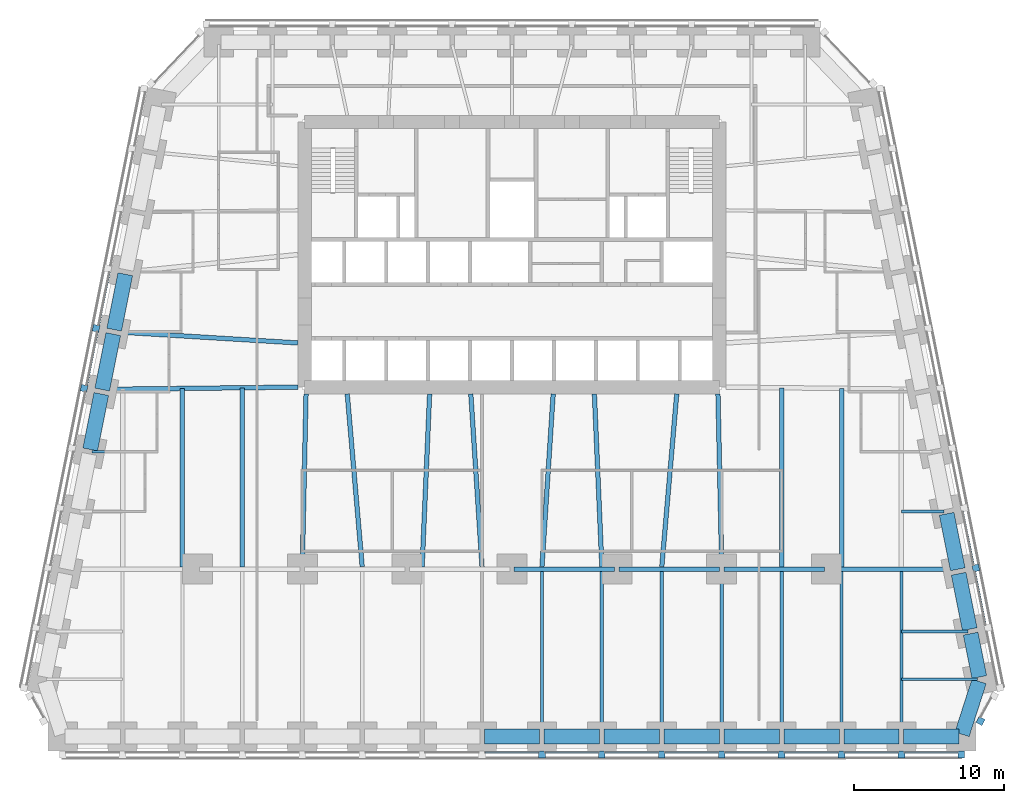
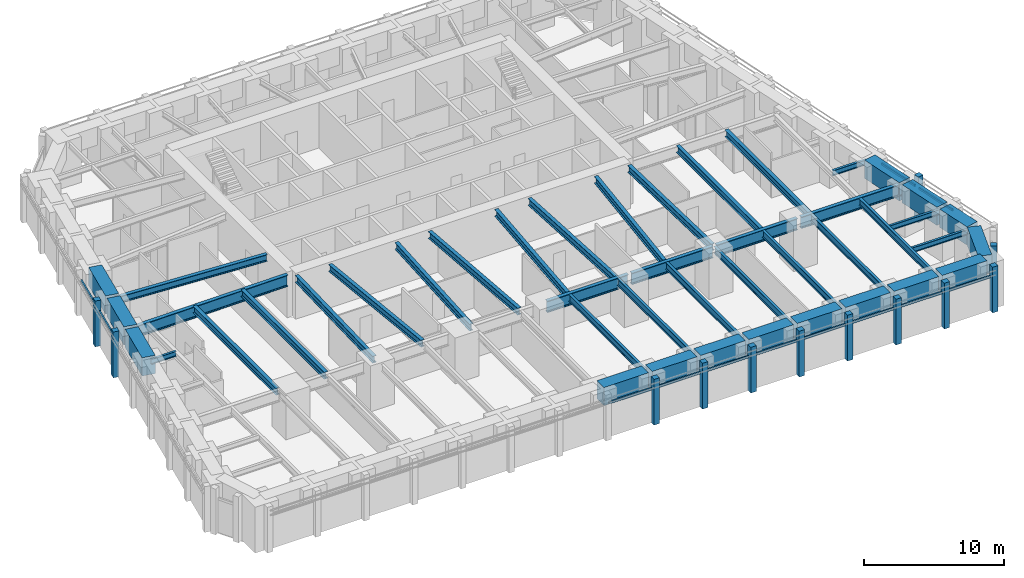
# One storey, part 2 of 10: 44 beams, 24 members, 4 elements without a shape of their own.
"""IFC4 building model written with IfcOpenShell, lengths in metres."""

from ifc_helpers import new_model, si_unit, direction, frame, origin, origin_2d, place, context, subcontext, project, spatial, rectangle, i_section, extrude, material, material_profile, profile_set, type_object, element, aggregate, save


model = new_model("IFC4")

# Units and contexts
model_context = context("Model", 3, precision=1e-05, world=origin(), true_north=direction((0.0, 1.0)))
body_context = subcontext(model_context, "Body", "Model", "MODEL_VIEW")
ifc_project = project(units=[si_unit("LENGTHUNIT", "METRE"), si_unit("AREAUNIT", "SQUARE_METRE"), si_unit("VOLUMEUNIT", "CUBIC_METRE"), si_unit("PLANEANGLEUNIT", "RADIAN"), si_unit("MASSUNIT", "GRAM", prefix="KILO")], contexts=[model_context])

# Site, building, storey
site_placement = place(None, origin())
site = spatial("IfcSite", under=ifc_project, at=site_placement, CompositionType="ELEMENT")
building_placement = place(site_placement, origin())
building = spatial("IfcBuilding", under=site, at=building_placement, Name="Isbrekke Arena Tower", CompositionType="ELEMENT")
storey_placement = place(building_placement, frame((0.0, 0.0, 68.0)))
storey = spatial("IfcBuildingStorey", under=building, at=storey_placement, Name="L14", CompositionType="ELEMENT", Elevation=68.0)

# Beams
ifc_material_1 = material(Name="Steel S355", Category="steel")
ifc_material_profile_1 = material_profile(ifc_material_1, i_section(OverallWidth=0.219970703125, OverallDepth=0.60009765625, WebThickness=0.011962890625, FlangeThickness=0.01904296875, FilletRadius=0.02392578125, at=origin_2d()), Name="IPE 600")
ifc_profile_set_1 = profile_set([ifc_material_profile_1], Name="Steel S355")
beam_type_1 = type_object("IfcBeamType", Name="B1 IPE 600", PredefinedType="BEAM", material=ifc_profile_set_1)
for number, where, z_axis, x_axis, name in (
    (1, (2.0, -17.02490234375, 3.550048828125), (0.0, 1.0, 0.0), (-1.0, 0.0, 0.0), "B1 beam S-S09 L14"),
    (2, (6.0, -17.02490234375, 3.550048828125), (0.0, 1.0, 0.0), (-1.0, 0.0, 0.0), "B1 beam S-S10 L14"),
    (3, (10.0, -17.02490234375, 3.550048828125), (0.0, 1.0, 0.0), (-1.0, 0.0, 0.0), "B1 beam S-S11 L14"),
):
    element("IfcBeam", number, at=place(storey_placement, frame(where, z_axis=z_axis, x_axis=x_axis)), inside=storey, type_object=beam_type_1, Name=name, PredefinedType="BEAM", context=body_context, shape_type="SweptSolid", body=[
        extrude(i_section(OverallWidth=0.219970703125, OverallDepth=0.60009765625, WebThickness=0.011962890625, FlangeThickness=0.01904296875, FilletRadius=0.02392578125, at=origin_2d()), origin(), (0.0, 0.0, 1.0), 10.8740234375),
    ])
beam_1_placement = place(storey_placement, frame((14.0, -17.02490234375, 3.550048828125), z_axis=(0.0, 1.0, 0.0), x_axis=(-1.0, 0.0, 0.0)))
element("IfcBeam", 4, at=beam_1_placement, inside=storey, type_object=beam_type_1, Name="B1 beam S-S12 L14", PredefinedType="BEAM", context=body_context, shape_type="SweptSolid", body=[
    extrude(i_section(OverallWidth=0.219970703125, OverallDepth=0.60009765625, WebThickness=0.011962890625, FlangeThickness=0.01904296875, FilletRadius=0.02392578125, at=origin_2d()), origin(), (0.0, 0.0, 1.0), 10.875),
])
for number, where, z_axis, x_axis, name in (
    (5, (18.0, -17.02490234375, 3.550048828125), (0.0, 1.0, 0.0), (-1.0, 0.0, 0.0), "B1 beam S-S13 L14"),
    (6, (22.0, -17.02490234375, 3.550048828125), (0.0, 1.0, 0.0), (-1.0, 0.0, 0.0), "B1 beam S-S14 L14"),
    (7, (26.0, -17.02490234375, 3.550048828125), (0.0, 1.0, 0.0), (-1.0, 0.0, 0.0), "B1 beam S-S15 L14"),
):
    element("IfcBeam", number, at=place(storey_placement, frame(where, z_axis=z_axis, x_axis=x_axis)), inside=storey, type_object=beam_type_1, Name=name, PredefinedType="BEAM", context=body_context, shape_type="SweptSolid", body=[
        extrude(i_section(OverallWidth=0.219970703125, OverallDepth=0.60009765625, WebThickness=0.011962890625, FlangeThickness=0.01904296875, FilletRadius=0.02392578125, at=origin_2d()), origin(), (0.0, 0.0, 1.0), 10.8740234375),
    ])
ifc_material_2 = material(Name="Steel S355", Category="steel")
ifc_material_profile_2 = material_profile(ifc_material_2, i_section(OverallWidth=0.18994140625, OverallDepth=0.449951171875, WebThickness=0.009521484375, FlangeThickness=0.0146484375, FilletRadius=0.02099609375, at=origin_2d()), Name="IPE 450")
ifc_profile_set_2 = profile_set([ifc_material_profile_2], Name="Steel S355")
beam_type_2 = type_object("IfcBeamType", Name="B2 IPE 450", PredefinedType="BEAM", material=ifc_profile_set_2)
beam_2_placement = place(storey_placement, frame((31.079345703125, -13.352783203125, 3.625), z_axis=(-1.0, 0.0, 0.0), x_axis=(0.0, -1.0, 0.0)))
element("IfcBeam", 8, at=beam_2_placement, inside=storey, type_object=beam_type_2, Name="B2 beam E-E01 L14", PredefinedType="BEAM", context=body_context, shape_type="SweptSolid", body=[
    extrude(i_section(OverallWidth=0.18994140625, OverallDepth=0.449951171875, WebThickness=0.009521484375, FlangeThickness=0.0146484375, FilletRadius=0.02099609375, at=origin_2d()), origin(), (0.0, 0.0, 1.0), 5.079345703125),
])
beam_3_placement = place(storey_placement, frame((30.44091796875, -10.161865234375, 3.625), z_axis=(-1.0, 0.0, 0.0), x_axis=(0.0, -1.0, 0.0)))
element("IfcBeam", 9, at=beam_3_placement, inside=storey, type_object=beam_type_2, Name="B2 beam E-E02 L14", PredefinedType="BEAM", context=body_context, shape_type="SweptSolid", body=[
    extrude(i_section(OverallWidth=0.18994140625, OverallDepth=0.449951171875, WebThickness=0.009521484375, FlangeThickness=0.0146484375, FilletRadius=0.02099609375, at=origin_2d()), origin(), (0.0, 0.0, 1.0), 4.44091796875),
])
beam_4_placement = place(storey_placement, frame((28.841064453125, -2.161865234375, 3.625), z_axis=(-1.0, 0.0, 0.0), x_axis=(0.0, -1.0, 0.0)))
element("IfcBeam", 10, at=beam_4_placement, inside=storey, type_object=beam_type_2, Name="B2 beam E-E04 L14", PredefinedType="BEAM", context=body_context, shape_type="SweptSolid", body=[
    extrude(i_section(OverallWidth=0.18994140625, OverallDepth=0.449951171875, WebThickness=0.009521484375, FlangeThickness=0.0146484375, FilletRadius=0.02099609375, at=origin_2d()), origin(), (0.0, 0.0, 1.0), 2.841064453125),
])
beam_5_placement = place(storey_placement, frame((-28.041015625, 1.838134765625, 3.625), z_axis=(1.0, 0.0, 0.0), x_axis=(0.0, 1.0, 0.0)))
element("IfcBeam", 11, at=beam_5_placement, inside=storey, type_object=beam_type_2, Name="B2 beam E-W07 L14", PredefinedType="BEAM", context=body_context, shape_type="SweptSolid", body=[
    extrude(i_section(OverallWidth=0.18994140625, OverallDepth=0.449951171875, WebThickness=0.009521484375, FlangeThickness=0.0146484375, FilletRadius=0.02099609375, at=origin_2d()), origin(), (0.0, 0.0, 1.0), 2.041015625),
])
ifc_material_3 = material(Name="Steel S355", Category="steel")
ifc_material_profile_3 = material_profile(ifc_material_3, i_section(OverallWidth=0.300048828125, OverallDepth=0.60009765625, WebThickness=0.015380859375, FlangeThickness=0.030029296875, FilletRadius=0.027099609375, at=origin_2d()), Name="HEB 600")
ifc_profile_set_3 = profile_set([ifc_material_profile_3], Name="Steel S355")
beam_type_3 = type_object("IfcBeamType", Name="B7 HEB 600", PredefinedType="BEAM", material=ifc_profile_set_3)
beam_6_placement = place(storey_placement, frame((-22.0, -5.84912109375, 3.550048828125), z_axis=(0.0, 1.0, 0.0), x_axis=(-1.0, 0.0, 0.0)))
element("IfcBeam", 12, at=beam_6_placement, inside=storey, type_object=beam_type_3, Name="B7 beam C-M02 L14", PredefinedType="BEAM", context=body_context, shape_type="SweptSolid", body=[
    extrude(i_section(OverallWidth=0.300048828125, OverallDepth=0.60009765625, WebThickness=0.015380859375, FlangeThickness=0.030029296875, FilletRadius=0.027099609375, at=origin_2d()), origin(), (0.0, 0.0, 1.0), 11.910888671875),
])
beam_7_placement = place(storey_placement, frame((-18.0, -5.84912109375, 3.550048828125), z_axis=(0.0, 1.0, 0.0), x_axis=(-1.0, 0.0, 0.0)))
element("IfcBeam", 13, at=beam_7_placement, inside=storey, type_object=beam_type_3, Name="B7 beam C-M03 L14", PredefinedType="BEAM", context=body_context, shape_type="SweptSolid", body=[
    extrude(i_section(OverallWidth=0.300048828125, OverallDepth=0.60009765625, WebThickness=0.015380859375, FlangeThickness=0.030029296875, FilletRadius=0.027099609375, at=origin_2d()), origin(), (0.0, 0.0, 1.0), 11.956787109375),
])
beam_8_placement = place(storey_placement, frame((-14.0, -5.8466796875, 3.550048828125), z_axis=(0.021646264273, 0.999765692171, 0.0), x_axis=(-0.999765692171, 0.021646264273, 0.0)))
element("IfcBeam", 14, at=beam_8_placement, inside=storey, type_object=beam_type_3, Name="B7 beam C-M04 L14", PredefinedType="BEAM", context=body_context, shape_type="SweptSolid", body=[
    extrude(i_section(OverallWidth=0.300048828125, OverallDepth=0.60009765625, WebThickness=0.015380859375, FlangeThickness=0.030029296875, FilletRadius=0.027099609375, at=origin_2d()), origin(), (0.0, 0.0, 1.0), 11.54931640625),
])
beam_9_placement = place(storey_placement, frame((-10.001220703125, -5.836181640625, 3.550048828125), z_axis=(-0.086255671377, 0.996273034442, 0.0), x_axis=(-0.996273034442, -0.086255671377, 0.0)))
element("IfcBeam", 15, at=beam_9_placement, inside=storey, type_object=beam_type_3, Name="B7 beam C-M05 L14", PredefinedType="BEAM", context=body_context, shape_type="SweptSolid", body=[
    extrude(i_section(OverallWidth=0.300048828125, OverallDepth=0.60009765625, WebThickness=0.015380859375, FlangeThickness=0.030029296875, FilletRadius=0.027099609375, at=origin_2d()), origin(), (0.0, 0.0, 1.0), 11.579345703125),
])
beam_10_placement = place(storey_placement, frame((-5.999755859375, -5.842529296875, 3.550048828125), z_axis=(0.04325656756, 0.99906399663, 0.0), x_axis=(-0.99906399663, 0.04325656756, 0.0)))
element("IfcBeam", 16, at=beam_10_placement, inside=storey, type_object=beam_type_3, Name="B7 beam C-M06 L14", PredefinedType="BEAM", context=body_context, shape_type="SweptSolid", body=[
    extrude(i_section(OverallWidth=0.300048828125, OverallDepth=0.60009765625, WebThickness=0.015380859375, FlangeThickness=0.030029296875, FilletRadius=0.027099609375, at=origin_2d()), origin(), (0.0, 0.0, 1.0), 11.55322265625),
])
for number, where, z_axis, x_axis, name in (
    (17, (-2.000732421875, -5.83935546875, 3.550048828125), (-0.064795318476, 0.997898575359, 0.0), (-0.997898575359, -0.064795318476, 0.0), "B7 beam C-M07 L14"),
    (18, (2.000732421875, -5.83935546875, 3.550048828125), (0.064795318476, 0.997898575359, 0.0), (-0.997898575359, 0.064795318476, 0.0), "B7 beam C-M08 L14"),
):
    element("IfcBeam", number, at=place(storey_placement, frame(where, z_axis=z_axis, x_axis=x_axis)), inside=storey, type_object=beam_type_3, Name=name, PredefinedType="BEAM", context=body_context, shape_type="SweptSolid", body=[
        extrude(i_section(OverallWidth=0.300048828125, OverallDepth=0.60009765625, WebThickness=0.015380859375, FlangeThickness=0.030029296875, FilletRadius=0.027099609375, at=origin_2d()), origin(), (0.0, 0.0, 1.0), 11.563720703125),
    ])
beam_11_placement = place(storey_placement, frame((5.999755859375, -5.842529296875, 3.550048828125), z_axis=(-0.04325656756, 0.99906399663, 0.0), x_axis=(-0.99906399663, -0.04325656756, 0.0)))
element("IfcBeam", 19, at=beam_11_placement, inside=storey, type_object=beam_type_3, Name="B7 beam C-M09 L14", PredefinedType="BEAM", context=body_context, shape_type="SweptSolid", body=[
    extrude(i_section(OverallWidth=0.300048828125, OverallDepth=0.60009765625, WebThickness=0.015380859375, FlangeThickness=0.030029296875, FilletRadius=0.027099609375, at=origin_2d()), origin(), (0.0, 0.0, 1.0), 11.55322265625),
])
beam_12_placement = place(storey_placement, frame((10.001220703125, -5.836181640625, 3.550048828125), z_axis=(0.086255671377, 0.996273034442, 0.0), x_axis=(-0.996273034442, 0.086255671377, 0.0)))
element("IfcBeam", 20, at=beam_12_placement, inside=storey, type_object=beam_type_3, Name="B7 beam C-M10 L14", PredefinedType="BEAM", context=body_context, shape_type="SweptSolid", body=[
    extrude(i_section(OverallWidth=0.300048828125, OverallDepth=0.60009765625, WebThickness=0.015380859375, FlangeThickness=0.030029296875, FilletRadius=0.027099609375, at=origin_2d()), origin(), (0.0, 0.0, 1.0), 11.579345703125),
])
beam_13_placement = place(storey_placement, frame((14.0, -5.8466796875, 3.550048828125), z_axis=(-0.021646264273, 0.999765692171, 0.0), x_axis=(-0.999765692171, -0.021646264273, 0.0)))
element("IfcBeam", 21, at=beam_13_placement, inside=storey, type_object=beam_type_3, Name="B7 beam C-M11 L14", PredefinedType="BEAM", context=body_context, shape_type="SweptSolid", body=[
    extrude(i_section(OverallWidth=0.300048828125, OverallDepth=0.60009765625, WebThickness=0.015380859375, FlangeThickness=0.030029296875, FilletRadius=0.027099609375, at=origin_2d()), origin(), (0.0, 0.0, 1.0), 11.54931640625),
])
beam_14_placement = place(storey_placement, frame((18.0, -5.84912109375, 3.550048828125), z_axis=(0.0, 1.0, 0.0), x_axis=(-1.0, 0.0, 0.0)))
element("IfcBeam", 22, at=beam_14_placement, inside=storey, type_object=beam_type_3, Name="B7 beam C-M12 L14", PredefinedType="BEAM", context=body_context, shape_type="SweptSolid", body=[
    extrude(i_section(OverallWidth=0.300048828125, OverallDepth=0.60009765625, WebThickness=0.015380859375, FlangeThickness=0.030029296875, FilletRadius=0.027099609375, at=origin_2d()), origin(), (0.0, 0.0, 1.0), 11.956787109375),
])
beam_15_placement = place(storey_placement, frame((22.0, -5.84912109375, 3.550048828125), z_axis=(0.0, 1.0, 0.0), x_axis=(-1.0, 0.0, 0.0)))
element("IfcBeam", 23, at=beam_15_placement, inside=storey, type_object=beam_type_3, Name="B7 beam C-M13 L14", PredefinedType="BEAM", context=body_context, shape_type="SweptSolid", body=[
    extrude(i_section(OverallWidth=0.300048828125, OverallDepth=0.60009765625, WebThickness=0.015380859375, FlangeThickness=0.030029296875, FilletRadius=0.027099609375, at=origin_2d()), origin(), (0.0, 0.0, 1.0), 11.910888671875),
])
beam_16_placement = place(storey_placement, frame((-26.431884765625, 9.837646484375, 3.550048828125), z_axis=(0.998157121592, -0.060682457223, 0.0), x_axis=(0.060682457223, 0.998157121592, 0.0)))
element("IfcBeam", 24, at=beam_16_placement, inside=storey, type_object=beam_type_3, Name="B7 beam E-W05 L14", PredefinedType="BEAM", context=body_context, shape_type="SweptSolid", body=[
    extrude(i_section(OverallWidth=0.300048828125, OverallDepth=0.60009765625, WebThickness=0.015380859375, FlangeThickness=0.030029296875, FilletRadius=0.027099609375, at=origin_2d()), origin(), (0.0, 0.0, 1.0), 12.154296875),
])

# Curtain wall, members
ifc_material_4 = material(Name="Glazed aluminium curtain wall", Category="aluminium")
curtain_wall_type = type_object("IfcCurtainWallType", Name="CWL TOWER CURTAIN WALL LOW ZONE", PredefinedType="USERDEFINED", material=ifc_material_4)
curtain_wall_1_placement = place(storey_placement, origin())
curtain_wall_1 = element("IfcCurtainWall", 25, at=curtain_wall_1_placement, inside=storey, type_object=curtain_wall_type, Name="CWL curtain wall L14-S", ObjectType="TOWER CURTAIN WALL LOW ZONE", PredefinedType="USERDEFINED")
ifc_material_5 = material(Name="Aluminium mullion, pale brick slip cladding", Category="masonry")
ifc_material_profile_4 = material_profile(ifc_material_5, rectangle(XDim=0.449951171875, YDim=0.449951171875, at=origin_2d()), Name="PIER 450X450")
ifc_profile_set_4 = profile_set([ifc_material_profile_4], Name="Aluminium mullion, pale brick slip cladding")
member_type_1 = type_object("IfcMemberType", Name="CWL-M PIER MULLION 450 x 450", PredefinedType="MULLION", material=ifc_profile_set_4)
member_1_placement = place(storey_placement, frame((2.0, -18.375, 0.0), z_axis=(0.0, 0.0, 1.0), x_axis=(1.0, 0.0, 0.0)))
member_1 = element("IfcMember", 26, at=member_1_placement, type_object=member_type_1, Name="CWL-M mullion 9", PredefinedType="MULLION", context=body_context, shape_type="SweptSolid", body=[
    extrude(rectangle(XDim=0.449951171875, YDim=0.449951171875, at=origin_2d()), origin(), (0.0, 0.0, 1.0), 4.0),
])
member_2_placement = place(storey_placement, frame((6.0, -18.375, 0.0), z_axis=(0.0, 0.0, 1.0), x_axis=(1.0, 0.0, 0.0)))
member_2 = element("IfcMember", 27, at=member_2_placement, type_object=member_type_1, Name="CWL-M mullion 10", PredefinedType="MULLION", context=body_context, shape_type="SweptSolid", body=[
    extrude(rectangle(XDim=0.449951171875, YDim=0.449951171875, at=origin_2d()), origin(), (0.0, 0.0, 1.0), 4.0),
])
member_3_placement = place(storey_placement, frame((10.0, -18.375, 0.0), z_axis=(0.0, 0.0, 1.0), x_axis=(1.0, 0.0, 0.0)))
member_3 = element("IfcMember", 28, at=member_3_placement, type_object=member_type_1, Name="CWL-M mullion 11", PredefinedType="MULLION", context=body_context, shape_type="SweptSolid", body=[
    extrude(rectangle(XDim=0.449951171875, YDim=0.449951171875, at=origin_2d()), origin(), (0.0, 0.0, 1.0), 4.0),
])
member_4_placement = place(storey_placement, frame((14.0, -18.375, 0.0), z_axis=(0.0, 0.0, 1.0), x_axis=(1.0, 0.0, 0.0)))
member_4 = element("IfcMember", 29, at=member_4_placement, type_object=member_type_1, Name="CWL-M mullion 12", PredefinedType="MULLION", context=body_context, shape_type="SweptSolid", body=[
    extrude(rectangle(XDim=0.449951171875, YDim=0.449951171875, at=origin_2d()), origin(), (0.0, 0.0, 1.0), 4.0),
])
member_5_placement = place(storey_placement, frame((18.0, -18.375, 0.0), z_axis=(0.0, 0.0, 1.0), x_axis=(1.0, 0.0, 0.0)))
member_5 = element("IfcMember", 30, at=member_5_placement, type_object=member_type_1, Name="CWL-M mullion 13", PredefinedType="MULLION", context=body_context, shape_type="SweptSolid", body=[
    extrude(rectangle(XDim=0.449951171875, YDim=0.449951171875, at=origin_2d()), origin(), (0.0, 0.0, 1.0), 4.0),
])
member_6_placement = place(storey_placement, frame((22.0, -18.375, 0.0), z_axis=(0.0, 0.0, 1.0), x_axis=(1.0, 0.0, 0.0)))
member_6 = element("IfcMember", 31, at=member_6_placement, type_object=member_type_1, Name="CWL-M mullion 14", PredefinedType="MULLION", context=body_context, shape_type="SweptSolid", body=[
    extrude(rectangle(XDim=0.449951171875, YDim=0.449951171875, at=origin_2d()), origin(), (0.0, 0.0, 1.0), 4.0),
])
member_7_placement = place(storey_placement, frame((26.0, -18.375, 0.0), z_axis=(0.0, 0.0, 1.0), x_axis=(1.0, 0.0, 0.0)))
member_7 = element("IfcMember", 32, at=member_7_placement, type_object=member_type_1, Name="CWL-M mullion 15", PredefinedType="MULLION", context=body_context, shape_type="SweptSolid", body=[
    extrude(rectangle(XDim=0.449951171875, YDim=0.449951171875, at=origin_2d()), origin(), (0.0, 0.0, 1.0), 4.0),
])
member_8_placement = place(storey_placement, frame((30.0, -18.375, 0.0), z_axis=(0.0, 0.0, 1.0), x_axis=(1.0, 0.0, 0.0)))
member_8 = element("IfcMember", 33, at=member_8_placement, type_object=member_type_1, Name="CWL-M mullion 16", PredefinedType="MULLION", context=body_context, shape_type="SweptSolid", body=[
    extrude(rectangle(XDim=0.449951171875, YDim=0.449951171875, at=origin_2d()), origin(), (0.0, 0.0, 1.0), 4.0),
])

# Curtain wall, member
curtain_wall_2_placement = place(storey_placement, origin())
curtain_wall_2 = element("IfcCurtainWall", 34, at=curtain_wall_2_placement, inside=storey, type_object=curtain_wall_type, Name="CWL curtain wall L14-SE", ObjectType="TOWER CURTAIN WALL LOW ZONE", PredefinedType="USERDEFINED")
member_9_placement = place(storey_placement, frame((31.2783203125, -16.142822265625, 0.0), z_axis=(0.0, 0.0, 1.0), x_axis=(0.481918749773, 0.876215908676, 0.0)))
member_9 = element("IfcMember", 35, at=member_9_placement, type_object=member_type_1, Name="CWL-M mullion 1", PredefinedType="MULLION", context=body_context, shape_type="SweptSolid", body=[
    extrude(rectangle(XDim=0.449951171875, YDim=0.449951171875, at=origin_2d()), origin(), (0.0, 0.0, 1.0), 4.0),
])
aggregate(curtain_wall_2, [member_9])

curtain_wall_3_placement = place(storey_placement, origin())
curtain_wall_3 = element("IfcCurtainWall", 36, at=curtain_wall_3_placement, inside=storey, type_object=curtain_wall_type, Name="CWL curtain wall L14-E", ObjectType="TOWER CURTAIN WALL LOW ZONE", PredefinedType="USERDEFINED")
member_10_placement = place(storey_placement, frame((30.9677734375, -5.926513671875, 0.0), z_axis=(0.0, 0.0, 1.0), x_axis=(-0.196116135138, 0.980580675691, 0.0)))
member_10 = element("IfcMember", 37, at=member_10_placement, type_object=member_type_1, Name="CWL-M mullion 3", PredefinedType="MULLION", context=body_context, shape_type="SweptSolid", body=[
    extrude(rectangle(XDim=0.449951171875, YDim=0.449951171875, at=origin_2d()), origin(), (0.0, 0.0, 1.0), 4.0),
])

# Curtain wall, members
curtain_wall_4_placement = place(storey_placement, origin())
curtain_wall_4 = element("IfcCurtainWall", 38, at=curtain_wall_4_placement, inside=storey, type_object=curtain_wall_type, Name="CWL curtain wall L14-W", ObjectType="TOWER CURTAIN WALL LOW ZONE", PredefinedType="USERDEFINED")
member_11_placement = place(storey_placement, frame((-27.767822265625, 10.073486328125, 0.0), z_axis=(0.0, 0.0, 1.0), x_axis=(-0.196116135138, -0.980580675691, 0.0)))
member_11 = element("IfcMember", 39, at=member_11_placement, type_object=member_type_1, Name="CWL-M mullion 5", PredefinedType="MULLION", context=body_context, shape_type="SweptSolid", body=[
    extrude(rectangle(XDim=0.449951171875, YDim=0.449951171875, at=origin_2d()), origin(), (0.0, 0.0, 1.0), 4.0),
])
member_12_placement = place(storey_placement, frame((-28.567626953125, 6.073486328125, 0.0), z_axis=(0.0, 0.0, 1.0), x_axis=(-0.196116135138, -0.980580675691, 0.0)))
member_12 = element("IfcMember", 40, at=member_12_placement, type_object=member_type_1, Name="CWL-M mullion 6", PredefinedType="MULLION", context=body_context, shape_type="SweptSolid", body=[
    extrude(rectangle(XDim=0.449951171875, YDim=0.449951171875, at=origin_2d()), origin(), (0.0, 0.0, 1.0), 4.0),
])

# Member
ifc_material_6 = material(Name="Aluminium transom", Category="aluminium")
ifc_material_profile_5 = material_profile(ifc_material_6, rectangle(XDim=0.1201171875, YDim=0.199951171875, at=origin_2d()), Name="TRANSOM 120X200")
ifc_profile_set_5 = profile_set([ifc_material_profile_5], Name="Aluminium transom")
member_type_2 = type_object("IfcMemberType", Name="CWL-T TRANSOM 120 x 200", PredefinedType="USERDEFINED", material=ifc_profile_set_5)
member_13_placement = place(storey_placement, frame((-1.77490234375, -18.25, 3.0), z_axis=(1.0, 0.0, 0.0), x_axis=(0.0, 1.0, 0.0)))
member_13 = element("IfcMember", 41, at=member_13_placement, type_object=member_type_2, Name="CWL-T transom 8", ObjectType="TRANSOM", PredefinedType="USERDEFINED", context=body_context, shape_type="SweptSolid", body=[
    extrude(rectangle(XDim=0.1201171875, YDim=0.199951171875, at=origin_2d()), origin(), (0.0, 0.0, 1.0), 3.5498046875),
])

member_14_placement = place(storey_placement, frame((2.22509765625, -18.25, 3.0), z_axis=(1.0, 0.0, 0.0), x_axis=(0.0, 1.0, 0.0)))
member_14 = element("IfcMember", 42, at=member_14_placement, type_object=member_type_2, Name="CWL-T transom 9", ObjectType="TRANSOM", PredefinedType="USERDEFINED", context=body_context, shape_type="SweptSolid", body=[
    extrude(rectangle(XDim=0.1201171875, YDim=0.199951171875, at=origin_2d()), origin(), (0.0, 0.0, 1.0), 3.5498046875),
])

member_15_placement = place(storey_placement, frame((6.22509765625, -18.25, 3.0), z_axis=(1.0, 0.0, 0.0), x_axis=(0.0, 1.0, 0.0)))
member_15 = element("IfcMember", 43, at=member_15_placement, type_object=member_type_2, Name="CWL-T transom 10", ObjectType="TRANSOM", PredefinedType="USERDEFINED", context=body_context, shape_type="SweptSolid", body=[
    extrude(rectangle(XDim=0.1201171875, YDim=0.199951171875, at=origin_2d()), origin(), (0.0, 0.0, 1.0), 3.5498046875),
])

member_16_placement = place(storey_placement, frame((10.22509765625, -18.25, 3.0), z_axis=(1.0, 0.0, 0.0), x_axis=(0.0, 1.0, 0.0)))
member_16 = element("IfcMember", 44, at=member_16_placement, type_object=member_type_2, Name="CWL-T transom 11", ObjectType="TRANSOM", PredefinedType="USERDEFINED", context=body_context, shape_type="SweptSolid", body=[
    extrude(rectangle(XDim=0.1201171875, YDim=0.199951171875, at=origin_2d()), origin(), (0.0, 0.0, 1.0), 3.5498046875),
])

member_17_placement = place(storey_placement, frame((14.22509765625, -18.25, 3.0), z_axis=(1.0, 0.0, 0.0), x_axis=(0.0, 1.0, 0.0)))
member_17 = element("IfcMember", 45, at=member_17_placement, type_object=member_type_2, Name="CWL-T transom 12", ObjectType="TRANSOM", PredefinedType="USERDEFINED", context=body_context, shape_type="SweptSolid", body=[
    extrude(rectangle(XDim=0.1201171875, YDim=0.199951171875, at=origin_2d()), origin(), (0.0, 0.0, 1.0), 3.5498046875),
])

member_18_placement = place(storey_placement, frame((18.22509765625, -18.25, 3.0), z_axis=(1.0, 0.0, 0.0), x_axis=(0.0, 1.0, 0.0)))
member_18 = element("IfcMember", 46, at=member_18_placement, type_object=member_type_2, Name="CWL-T transom 13", ObjectType="TRANSOM", PredefinedType="USERDEFINED", context=body_context, shape_type="SweptSolid", body=[
    extrude(rectangle(XDim=0.1201171875, YDim=0.199951171875, at=origin_2d()), origin(), (0.0, 0.0, 1.0), 3.5498046875),
])

member_19_placement = place(storey_placement, frame((22.22509765625, -18.25, 3.0), z_axis=(1.0, 0.0, 0.0), x_axis=(0.0, 1.0, 0.0)))
member_19 = element("IfcMember", 47, at=member_19_placement, type_object=member_type_2, Name="CWL-T transom 14", ObjectType="TRANSOM", PredefinedType="USERDEFINED", context=body_context, shape_type="SweptSolid", body=[
    extrude(rectangle(XDim=0.1201171875, YDim=0.199951171875, at=origin_2d()), origin(), (0.0, 0.0, 1.0), 3.5498046875),
])

member_20_placement = place(storey_placement, frame((26.22509765625, -18.25, 3.0), z_axis=(1.0, 0.0, 0.0), x_axis=(0.0, 1.0, 0.0)))
member_20 = element("IfcMember", 48, at=member_20_placement, type_object=member_type_2, Name="CWL-T transom 15", ObjectType="TRANSOM", PredefinedType="USERDEFINED", context=body_context, shape_type="SweptSolid", body=[
    extrude(rectangle(XDim=0.1201171875, YDim=0.199951171875, at=origin_2d()), origin(), (0.0, 0.0, 1.0), 3.5498046875),
])

aggregate(curtain_wall_1, [member_1, member_2, member_3, member_4, member_5, member_6, member_7, member_8, member_13, member_14, member_15, member_16, member_17, member_18, member_19, member_20])

member_21_placement = place(storey_placement, frame((31.60107421875, -9.730224609375, 3.0), z_axis=(-0.196167883278, 0.980570324643, 0.0), x_axis=(-0.980570324643, -0.196167883278, 0.0)))
member_21 = element("IfcMember", 49, at=member_21_placement, type_object=member_type_2, Name="CWL-T transom 2", ObjectType="TRANSOM", PredefinedType="USERDEFINED", context=body_context, shape_type="SweptSolid", body=[
    extrude(rectangle(XDim=0.1201171875, YDim=0.199951171875, at=origin_2d()), origin(), (0.0, 0.0, 1.0), 3.629150390625),
])

member_22_placement = place(storey_placement, frame((30.801025390625, -5.730224609375, 3.0), z_axis=(-0.196103197847, 0.98058326306, 0.0), x_axis=(-0.98058326306, -0.196103197847, 0.0)))
member_22 = element("IfcMember", 50, at=member_22_placement, type_object=member_type_2, Name="CWL-T transom 3", ObjectType="TRANSOM", PredefinedType="USERDEFINED", context=body_context, shape_type="SweptSolid", body=[
    extrude(rectangle(XDim=0.1201171875, YDim=0.199951171875, at=origin_2d()), origin(), (0.0, 0.0, 1.0), 3.629150390625),
])

aggregate(curtain_wall_3, [member_10, member_21, member_22])

member_23_placement = place(storey_placement, frame((-26.88916015625, 13.828369140625, 3.0), z_axis=(-0.196167883278, -0.980570324643, 0.0), x_axis=(0.980570324643, -0.196167883278, 0.0)))
member_23 = element("IfcMember", 51, at=member_23_placement, type_object=member_type_2, Name="CWL-T transom 4", ObjectType="TRANSOM", PredefinedType="USERDEFINED", context=body_context, shape_type="SweptSolid", body=[
    extrude(rectangle(XDim=0.1201171875, YDim=0.199951171875, at=origin_2d()), origin(), (0.0, 0.0, 1.0), 3.629150390625),
])

member_24_placement = place(storey_placement, frame((-27.689208984375, 9.828369140625, 3.0), z_axis=(-0.196167883278, -0.980570324643, 0.0), x_axis=(0.980570324643, -0.196167883278, 0.0)))
member_24 = element("IfcMember", 52, at=member_24_placement, type_object=member_type_2, Name="CWL-T transom 5", ObjectType="TRANSOM", PredefinedType="USERDEFINED", context=body_context, shape_type="SweptSolid", body=[
    extrude(rectangle(XDim=0.1201171875, YDim=0.199951171875, at=origin_2d()), origin(), (0.0, 0.0, 1.0), 3.629150390625),
])

aggregate(curtain_wall_4, [member_11, member_12, member_23, member_24])

# Beams
ifc_material_7 = material(Name="Steel S355", Category="steel")
ifc_material_profile_6 = material_profile(ifc_material_7, i_section(OverallWidth=0.302001953125, OverallDepth=1.008056640625, WebThickness=0.02099609375, FlangeThickness=0.0400390625, FilletRadius=0.030029296875, at=origin_2d()), Name="HEM 1000")
ifc_profile_set_6 = profile_set([ifc_material_profile_6], Name="Steel S355")
beam_type_4 = type_object("IfcBeamType", Name="G1 HEM 1000", PredefinedType="BEAM", material=ifc_profile_set_6)
for number, where, z_axis, x_axis, name in (
    (53, (0.14990234375, -6.0, 3.345947265625), (1.0, 0.0, 0.0), (0.0, 1.0, 0.0), "G1 beam G1-05 L14"),
    (54, (7.14990234375, -6.0, 3.345947265625), (1.0, 0.0, 0.0), (0.0, 1.0, 0.0), "G1 beam G1-06 L14"),
    (55, (14.14990234375, -6.0, 3.345947265625), (1.0, 0.0, 0.0), (0.0, 1.0, 0.0), "G1 beam G1-07 L14"),
):
    element("IfcBeam", number, at=place(storey_placement, frame(where, z_axis=z_axis, x_axis=x_axis)), inside=storey, type_object=beam_type_4, Name=name, PredefinedType="BEAM", context=body_context, shape_type="SweptSolid", body=[
        extrude(i_section(OverallWidth=0.302001953125, OverallDepth=1.008056640625, WebThickness=0.02099609375, FlangeThickness=0.0400390625, FilletRadius=0.030029296875, at=origin_2d()), origin(), (0.0, 0.0, 1.0), 6.7001953125),
    ])
beam_17_placement = place(storey_placement, frame((21.14990234375, -6.0, 3.345947265625), z_axis=(1.0, 0.0, 0.0), x_axis=(0.0, 1.0, 0.0)))
element("IfcBeam", 56, at=beam_17_placement, inside=storey, type_object=beam_type_4, Name="G1 beam G1-08 L14", PredefinedType="BEAM", context=body_context, shape_type="SweptSolid", body=[
    extrude(i_section(OverallWidth=0.302001953125, OverallDepth=1.008056640625, WebThickness=0.02099609375, FlangeThickness=0.0400390625, FilletRadius=0.030029296875, at=origin_2d()), origin(), (0.0, 0.0, 1.0), 8.64111328125),
])
ifc_material_8 = material(Name="Steel S355", Category="steel")
ifc_material_profile_7 = material_profile(ifc_material_8, i_section(OverallWidth=0.302001953125, OverallDepth=1.008056640625, WebThickness=0.02099609375, FlangeThickness=0.0400390625, FilletRadius=0.030029296875, at=origin_2d()), Name="HEM 1000")
ifc_profile_set_7 = profile_set([ifc_material_profile_7], Name="Steel S355")
beam_type_5 = type_object("IfcBeamType", Name="G2 HEM 1000", PredefinedType="BEAM", material=ifc_profile_set_7)
beam_18_placement = place(storey_placement, frame((-14.300048828125, 6.14990234375, 3.345947265625), z_axis=(-0.999934429634, -0.011451481699, 0.0), x_axis=(0.011451481699, -0.999934429634, 0.0)))
element("IfcBeam", 57, at=beam_18_placement, inside=storey, type_object=beam_type_5, Name="G2 beam G2-W L14", PredefinedType="BEAM", context=body_context, shape_type="SweptSolid", body=[
    extrude(i_section(OverallWidth=0.302001953125, OverallDepth=1.008056640625, WebThickness=0.02099609375, FlangeThickness=0.0400390625, FilletRadius=0.030029296875, at=origin_2d()), origin(), (0.0, 0.0, 1.0), 13.09033203125),
])
ifc_material_9 = material(Name="Concrete B90 (C90/105)", Category="concrete")
ifc_material_profile_8 = material_profile(ifc_material_9, rectangle(XDim=1.0, YDim=1.60009765625, at=origin_2d()), Name="RC 1000x1600")
ifc_profile_set_8 = profile_set([ifc_material_profile_8], Name="Concrete B90 (C90/105)")
beam_type_6 = type_object("IfcBeamType", Name="SB1 RC 1000 x 1600", PredefinedType="SPANDREL", material=ifc_profile_set_8)
for number, where, z_axis, x_axis, name in (
    (58, (-1.85009765625, -17.175048828125, 3.199951171875), (1.0, 0.0, 0.0), (0.0, 1.0, 0.0), "SB1 spandrel S08-S09 L14"),
    (59, (2.14990234375, -17.175048828125, 3.199951171875), (1.0, 0.0, 0.0), (0.0, 1.0, 0.0), "SB1 spandrel S09-S10 L14"),
    (60, (6.14990234375, -17.175048828125, 3.199951171875), (1.0, 0.0, 0.0), (0.0, 1.0, 0.0), "SB1 spandrel S10-S11 L14"),
    (61, (10.14990234375, -17.175048828125, 3.199951171875), (1.0, 0.0, 0.0), (0.0, 1.0, 0.0), "SB1 spandrel S11-S12 L14"),
    (62, (14.14990234375, -17.175048828125, 3.199951171875), (1.0, 0.0, 0.0), (0.0, 1.0, 0.0), "SB1 spandrel S12-S13 L14"),
    (63, (18.14990234375, -17.175048828125, 3.199951171875), (1.0, 0.0, 0.0), (0.0, 1.0, 0.0), "SB1 spandrel S13-S14 L14"),
    (64, (22.14990234375, -17.175048828125, 3.199951171875), (1.0, 0.0, 0.0), (0.0, 1.0, 0.0), "SB1 spandrel S14-S15 L14"),
    (65, (26.14990234375, -17.175048828125, 3.199951171875), (1.0, 0.0, 0.0), (0.0, 1.0, 0.0), "SB1 spandrel S15-S16 L14"),
):
    element("IfcBeam", number, at=place(storey_placement, frame(where, z_axis=z_axis, x_axis=x_axis)), inside=storey, type_object=beam_type_6, Name=name, PredefinedType="SPANDREL", context=body_context, shape_type="SweptSolid", body=[
        extrude(rectangle(XDim=1.0, YDim=1.60009765625, at=origin_2d()), origin(), (0.0, 0.0, 1.0), 3.7001953125),
    ])
beam_19_placement = place(storey_placement, frame((30.0458984375, -17.0322265625, 3.199951171875), z_axis=(0.306175101476, 0.951975213562, 0.0), x_axis=(-0.951975213562, 0.306175101476, 0.0)))
element("IfcBeam", 66, at=beam_19_placement, inside=storey, type_object=beam_type_6, Name="SB1 spandrel S16-E01 L14", PredefinedType="SPANDREL", context=body_context, shape_type="SweptSolid", body=[
    extrude(rectangle(XDim=1.0, YDim=1.60009765625, at=origin_2d()), origin(), (0.0, 0.0, 1.0), 3.715087890625),
])
beam_20_placement = place(storey_placement, frame((31.19970703125, -13.205810546875, 3.199951171875), z_axis=(-0.196100243168, 0.980583853951, 0.0), x_axis=(-0.980583853951, -0.196100243168, 0.0)))
element("IfcBeam", 67, at=beam_20_placement, inside=storey, type_object=beam_type_6, Name="SB1 spandrel E01-E02 L14", PredefinedType="SPANDREL", context=body_context, shape_type="SweptSolid", body=[
    extrude(rectangle(XDim=1.0, YDim=1.60009765625, at=origin_2d()), origin(), (0.0, 0.0, 1.0), 2.954345703125),
])
beam_21_placement = place(storey_placement, frame((30.5615234375, -10.0146484375, 3.199951171875), z_axis=(-0.1960664412, 0.980590613169, 0.0), x_axis=(-0.980590613169, -0.1960664412, 0.0)))
element("IfcBeam", 68, at=beam_21_placement, inside=storey, type_object=beam_type_6, Name="SB1 spandrel E02-E03 L14", PredefinedType="SPANDREL", context=body_context, shape_type="SweptSolid", body=[
    extrude(rectangle(XDim=1.0, YDim=1.60009765625, at=origin_2d()), origin(), (0.0, 0.0, 1.0), 3.779052734375),
])
beam_22_placement = place(storey_placement, frame((29.76171875, -6.0146484375, 3.199951171875), z_axis=(-0.196128558387, 0.980578190959, 0.0), x_axis=(-0.980578190959, -0.196128558387, 0.0)))
element("IfcBeam", 69, at=beam_22_placement, inside=storey, type_object=beam_type_6, Name="SB1 spandrel E03-E04 L14", PredefinedType="SPANDREL", context=body_context, shape_type="SweptSolid", body=[
    extrude(rectangle(XDim=1.0, YDim=1.60009765625, at=origin_2d()), origin(), (0.0, 0.0, 1.0), 3.779296875),
])
beam_23_placement = place(storey_placement, frame((-25.820556640625, 13.691162109375, 3.199951171875), z_axis=(-0.1960664412, -0.980590613169, 0.0), x_axis=(0.980590613169, -0.1960664412, 0.0)))
element("IfcBeam", 70, at=beam_23_placement, inside=storey, type_object=beam_type_6, Name="SB1 spandrel W04-W05 L14", PredefinedType="SPANDREL", context=body_context, shape_type="SweptSolid", body=[
    extrude(rectangle(XDim=1.0, YDim=1.60009765625, at=origin_2d()), origin(), (0.0, 0.0, 1.0), 3.779052734375),
])
for number, where, z_axis, x_axis, name in (
    (71, (-26.620361328125, 9.691162109375, 3.199951171875), (-0.196128558387, -0.980578190959, 0.0), (0.980578190959, -0.196128558387, 0.0), "SB1 spandrel W05-W06 L14"),
    (72, (-27.42041015625, 5.691162109375, 3.199951171875), (-0.196128558387, -0.980578190959, 0.0), (0.980578190959, -0.196128558387, 0.0), "SB1 spandrel W06-W07 L14"),
):
    element("IfcBeam", number, at=place(storey_placement, frame(where, z_axis=z_axis, x_axis=x_axis)), inside=storey, type_object=beam_type_6, Name=name, PredefinedType="SPANDREL", context=body_context, shape_type="SweptSolid", body=[
        extrude(rectangle(XDim=1.0, YDim=1.60009765625, at=origin_2d()), origin(), (0.0, 0.0, 1.0), 3.779296875),
    ])

save(model, "model.ifc")
